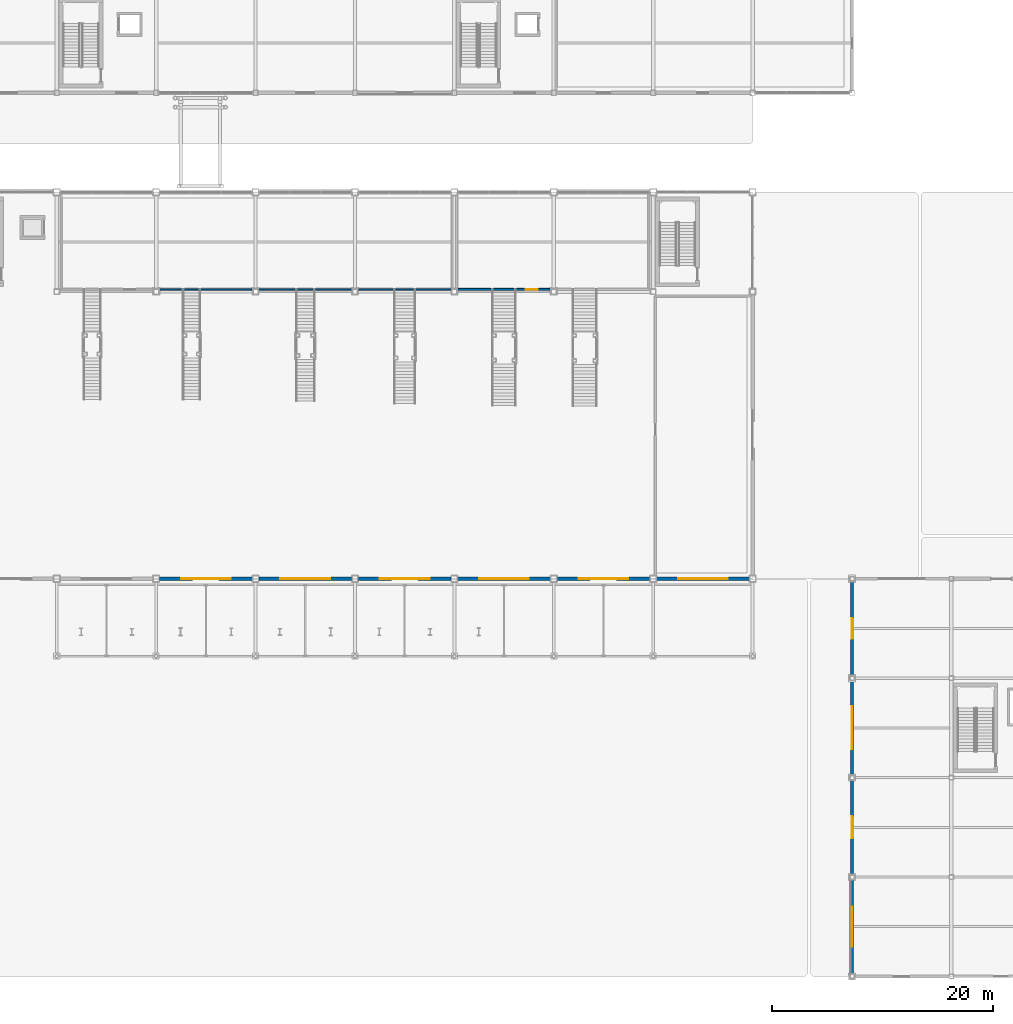
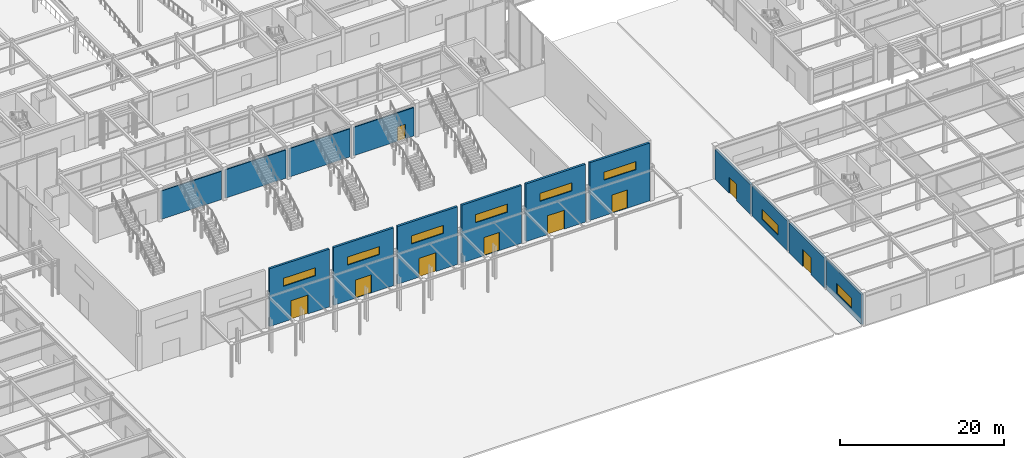
# One storey, part 85 of 123: 14 walls, 9 doors, 8 windows, 17 openings.
"""IFC4 building model written with IfcOpenShell, lengths in metres."""

import ifcopenshell
import ifcopenshell.guid

model = None  # the IFC model being written
_history = None  # IfcOwnerHistory: only IFC2X3 demands one
_inside = {}  # id of a spatial element -> (the spatial element, [elements in it])
_under = {}  # id of a project, library or spatial element -> (it, [spatial elements below it])
_declared = {}  # id of a project -> (the project, [libraries it declares])
_typed = {}  # id of a type object -> (the type object, [elements of that type])
_made_of = {}  # id of a material, layer set ... -> (it, [elements and type objects made of it])


def new_model(schema):
    """Start an empty IFC model of exactly this schema.

    Asked for "IFC4X3", IfcOpenShell would pick the latest addendum, in which some entities
    have other attributes; the version numbers below select the first issue.
    IFC2X3 requires an IfcOwnerHistory on every rooted entity: one is made here for all.
    """
    global model, _history
    if schema == "IFC4X3":
        model = ifcopenshell.file(schema_version=(4, 3, 0, 0))
    else:
        model = ifcopenshell.file(schema=schema)
    _inside.clear()
    _under.clear()
    _declared.clear()
    _typed.clear()
    _made_of.clear()
    _history = None
    if model.schema == "IFC2X3":
        org = make("IfcOrganization", Name="unknown")
        user = make(
            "IfcPersonAndOrganization",
            ThePerson=make("IfcPerson", FamilyName="unknown"),
            TheOrganization=org,
        )
        app = make(
            "IfcApplication",
            ApplicationDeveloper=org,
            Version="unknown",
            ApplicationFullName="unknown",
            ApplicationIdentifier="unknown",
        )
        _history = make(
            "IfcOwnerHistory",
            OwningUser=user,
            OwningApplication=app,
            ChangeAction="ADDED",
            CreationDate=0,
        )
    return model


def make(cls, **values):
    """One entity of the class cls with the attributes given. An attribute that is None is left unset."""
    return model.create_entity(
        cls, **{name: value for name, value in values.items() if value is not None}
    )


def rooted(cls, **values):
    """An entity with a GlobalId (a new one), such as an element, a storey or a relation."""
    return make(cls, GlobalId=ifcopenshell.guid.new(), OwnerHistory=_history, **values)


def si_unit(unit_type, name, prefix=None):
    """IfcSIUnit, for example si_unit("LENGTHUNIT", "METRE", prefix="MILLI")."""
    return make("IfcSIUnit", UnitType=unit_type, Prefix=prefix, Name=name)


def assignment(units):
    """IfcUnitAssignment: the units of a project."""
    return None if units is None else make("IfcUnitAssignment", Units=units)


def point(xyz):
    """IfcCartesianPoint."""
    return None if xyz is None else make("IfcCartesianPoint", Coordinates=xyz)


def direction(xyz):
    """IfcDirection."""
    return None if xyz is None else make("IfcDirection", DirectionRatios=xyz)


def frame(location, z_axis=None, x_axis=None):
    """IfcAxis2Placement3D, a coordinate frame: its origin and axes. An axis left out is left unset."""
    return make(
        "IfcAxis2Placement3D",
        Location=point(location),
        Axis=direction(z_axis),
        RefDirection=direction(x_axis),
    )


def frame_2d(location, x_axis=None):
    """IfcAxis2Placement2D, a coordinate frame in the plane: its origin and x axis."""
    return make(
        "IfcAxis2Placement2D", Location=point(location), RefDirection=direction(x_axis)
    )


def origin():
    """The frame at (0, 0, 0) with its axes left unset."""
    return frame((0.0, 0.0, 0.0))


def place(relative_to, where):
    """IfcLocalPlacement: puts the frame where relative to a parent placement (None: the world)."""
    return make(
        "IfcLocalPlacement", PlacementRelTo=relative_to, RelativePlacement=where
    )


def context(
    kind, dimensions, precision=None, world=None, true_north=None, identifier=None
):
    """IfcGeometricRepresentationContext, for example the 3D "Model" context."""
    return make(
        "IfcGeometricRepresentationContext",
        ContextIdentifier=identifier,
        ContextType=kind,
        CoordinateSpaceDimension=dimensions,
        Precision=precision,
        WorldCoordinateSystem=world,
        TrueNorth=true_north,
    )


def subcontext(parent, identifier, kind, view, scale=None):
    """IfcGeometricRepresentationSubContext, for example "Body" below "Model"."""
    return make(
        "IfcGeometricRepresentationSubContext",
        ContextIdentifier=identifier,
        ContextType=kind,
        ParentContext=parent,
        TargetScale=scale,
        TargetView=view,
    )


def project(units=None, contexts=None):
    """IfcProject with its units and contexts."""
    return rooted(
        "IfcProject",
        Name="project",
        RepresentationContexts=contexts,
        UnitsInContext=assignment(units),
    )


def spatial(cls, under=None, at=None, **own):
    """A site, building, storey or space (cls), placed at a placement, below another one or the project."""
    s = rooted(cls, ObjectPlacement=at, **own)
    if under is not None:
        _under.setdefault(under.id(), (under, []))[1].append(s)
    return s


def profile(cls, at=None, kind="AREA", **sizes):
    """A parametric profile (cls). Its sizes go by their IFC names, for example OverallWidth=200.0."""
    return make(cls, ProfileType=kind, Position=at, **sizes)


def rectangle(**sizes):
    """IfcRectangleProfileDef."""
    return profile("IfcRectangleProfileDef", **sizes)


def extrude(swept, where, along, depth):
    """IfcExtrudedAreaSolid: the profile swept, set in the frame where, extruded along a direction by depth."""
    return make(
        "IfcExtrudedAreaSolid",
        SweptArea=swept,
        Position=where,
        ExtrudedDirection=direction(along),
        Depth=depth,
    )


def shape(context_of_items, identifier, shape_type, items):
    """IfcShapeRepresentation: the items that make up one representation, for example the "Body"."""
    return make(
        "IfcShapeRepresentation",
        ContextOfItems=context_of_items,
        RepresentationIdentifier=identifier,
        RepresentationType=shape_type,
        Items=items,
    )


def material(Name=None, Category=None):
    """IfcMaterial."""
    return make("IfcMaterial", Name=Name, Category=Category)


def layer(
    of_material, thickness, ventilated=None, Name=None, Category=None, Priority=None
):
    """IfcMaterialLayer: one layer of a wall or slab, of a material (None: an air gap)."""
    return make(
        "IfcMaterialLayer",
        Material=of_material,
        LayerThickness=thickness,
        IsVentilated=ventilated,
        Name=Name,
        Category=Category,
        Priority=Priority,
    )


def layer_set(layers, Name=None):
    """IfcMaterialLayerSet."""
    return make("IfcMaterialLayerSet", MaterialLayers=layers, LayerSetName=Name)


def made_of(thing, what):
    """Note that an element or type object is made of a material, layer set ...; save() writes the relation."""
    if what is not None:
        _made_of.setdefault(what.id(), (what, []))[1].append(thing)
    return thing


def type_object(cls, material=None, **own):
    """A type object (cls), such as IfcWallType, which elements share."""
    return made_of(rooted(cls, **own), material)


def element(
    cls,
    number,
    at=None,
    inside=None,
    cuts=None,
    type_object=None,
    material=None,
    context=None,
    identifier="Body",
    shape_type=None,
    held_by="IfcProductDefinitionShape",
    body=None,
    shapes=None,
    **own,
):
    """One element of the class cls, such as IfcWall. Its Tag is "e" and its number.

    at: its placement. inside: the storey or other place that contains it. cuts: it is an
    opening in that element (IfcRelVoidsElement). A single representation is given by context,
    identifier, shape_type and body (its items); several are given by shapes. held_by: the class
    of the entity that holds the representations. save() writes the other relations.
    """
    e = rooted(cls, Tag="e%d" % number, ObjectPlacement=at, **own)
    if body is not None:
        shapes = [shape(context, identifier, shape_type, body)]
    if shapes is not None:
        e.Representation = make(held_by, Representations=shapes)
    if inside is not None:
        _inside.setdefault(inside.id(), (inside, []))[1].append(e)
    if cuts is not None:
        rooted(
            "IfcRelVoidsElement", RelatingBuildingElement=cuts, RelatedOpeningElement=e
        )
    if type_object is not None:
        _typed.setdefault(type_object.id(), (type_object, []))[1].append(e)
    return made_of(e, material)


def fill(opening, filler):
    """IfcRelFillsElement: the door or window that sits in an opening."""
    return rooted(
        "IfcRelFillsElement",
        RelatingOpeningElement=opening,
        RelatedBuildingElement=filler,
    )


def aggregate(whole, parts):
    """IfcRelAggregates: a whole, such as a stair, and the parts it consists of."""
    return rooted("IfcRelAggregates", RelatingObject=whole, RelatedObjects=parts)


def save(model, path):
    """Write the relations noted so far, then the file.

    IfcRelAggregates (storeys below a building ...), IfcRelContainedInSpatialStructure (elements
    in a storey), IfcRelDefinesByType, IfcRelAssociatesMaterial and IfcRelDeclares: one each for
    every whole, place, type object, material and project.
    """
    for whole, parts in _under.values():
        aggregate(whole, parts)
    for where, things in _inside.values():
        rooted(
            "IfcRelContainedInSpatialStructure",
            RelatedElements=things,
            RelatingStructure=where,
        )
    for kind, things in _typed.values():
        rooted("IfcRelDefinesByType", RelatedObjects=things, RelatingType=kind)
    for what, things in _made_of.values():
        rooted("IfcRelAssociatesMaterial", RelatedObjects=things, RelatingMaterial=what)
    for by, libraries in _declared.values():
        rooted("IfcRelDeclares", RelatingContext=by, RelatedDefinitions=libraries)
    model.write(path)


model = new_model("IFC4")

# Units and contexts
model_context = context("Model", 3, precision=1e-05, world=origin(), true_north=direction((0.0, 1.0)))
body_context = subcontext(model_context, "Body", "Model", "MODEL_VIEW")
ifc_project = project(units=[si_unit("LENGTHUNIT", "METRE"), si_unit("AREAUNIT", "SQUARE_METRE"), si_unit("VOLUMEUNIT", "CUBIC_METRE"), si_unit("PLANEANGLEUNIT", "RADIAN"), si_unit("MASSUNIT", "GRAM", prefix="KILO")], contexts=[model_context])

# Site, building, storey
site_placement = place(None, origin())
site = spatial("IfcSite", under=ifc_project, at=site_placement, CompositionType="ELEMENT")
building_placement = place(site_placement, origin())
building = spatial("IfcBuilding", under=site, at=building_placement, Name="Suzunagisa Mobility Hub", CompositionType="ELEMENT")
storey_placement = place(building_placement, origin())
storey = spatial("IfcBuildingStorey", under=building, at=storey_placement, Name="L00", CompositionType="ELEMENT", Elevation=0.0)

# Wall, opening, window
ifc_material_1 = material(Name="Lightweight Insulated Autoclaved Concrete C30/37 Wall", Category="concrete")
ifc_layer_1 = layer(ifc_material_1, 0.239990234375)
ifc_layer_set_1 = layer_set([ifc_layer_1], Name="Lightweight Insulated Autoclaved Concrete C30/37 Wall")
wall_type_1 = type_object("IfcWallType", Name="Exterior Wall EW-04 240mm", PredefinedType="SOLIDWALL", material=ifc_layer_set_1)
wall_1_placement = place(storey_placement, frame((126.0, 8.800048828125, 0.0), z_axis=(0.0, 0.0, 1.0), x_axis=(0.0, -1.0, 0.0)))
wall_1 = element("IfcWall", 1, at=wall_1_placement, inside=storey, type_object=wall_type_1, Name="L00 Exterior Facade Wall EW-295", PredefinedType="SOLIDWALL", context=body_context, shape_type="SweptSolid", body=[
    extrude(rectangle(XDim=8.60009765625, YDim=0.239990234375, at=frame_2d((4.300048828125, 0.0))), origin(), (0.0, 0.0, 1.0), 4.449951171875),
])
opening_1_placement = place(wall_1_placement, frame((2.5, 0.0, 0.949951171875)))
opening_1 = element("IfcOpeningElement", 2, at=opening_1_placement, cuts=wall_1, Name="Opening WN-27", PredefinedType="OPENING", context=body_context, shape_type="SweptSolid", body=[
    extrude(rectangle(XDim=3.60009765625, YDim=1.5, at=frame_2d((1.800048828125, 0.75))), frame((0.0, 0.130859375, 0.0), z_axis=(0.0, -1.0, 0.0), x_axis=(1.0, 0.0, 0.0)), (0.0, 0.0, 1.0), 0.261962890625),
])
ifc_material_2 = material(Name="Thermally Broken Anodized Aluminum and Low-E Double Glazing", Category="aluminium")
window_type_1 = type_object("IfcWindowType", Name="Aluminum Window WN-27 3600x1500", PartitioningType="SINGLE_PANEL", PredefinedType="WINDOW", material=ifc_material_2)
window_1_placement = place(opening_1_placement, origin())
window_1 = element("IfcWindow", 3, at=window_1_placement, inside=storey, type_object=window_type_1, Name="L00 Scheduled Facade Window WN-99", OverallHeight=1.5, OverallWidth=3.60009765625, PartitioningType="SINGLE_PANEL", PredefinedType="WINDOW", context=body_context, shape_type="SweptSolid", body=[
    extrude(rectangle(XDim=3.60009765625, YDim=1.5, at=frame_2d((1.800048828125, 0.75))), frame((0.0, 0.030029296875, 0.0), z_axis=(0.0, -1.0, 0.0), x_axis=(1.0, 0.0, 0.0)), (0.0, 0.0, 1.0), 0.06005859375),
])
fill(opening_1, window_1)

ifc_material_3 = material(Name="Porcelain-Faced Insulated Concrete C30/37 Wall", Category="concrete")
ifc_layer_2 = layer(ifc_material_3, 0.280029296875)
ifc_layer_set_2 = layer_set([ifc_layer_2], Name="Porcelain-Faced Insulated Concrete C30/37 Wall")
wall_type_2 = type_object("IfcWallType", Name="Exterior Wall EW-08 280mm", PredefinedType="SOLIDWALL", material=ifc_layer_set_2)
wall_2_placement = place(storey_placement, frame((126.0, 26.800048828125, 0.0), z_axis=(0.0, 0.0, 1.0), x_axis=(0.0, -1.0, 0.0)))
wall_2 = element("IfcWall", 4, at=wall_2_placement, inside=storey, type_object=wall_type_2, Name="L00 Exterior Facade Wall EW-293", PredefinedType="SOLIDWALL", context=body_context, shape_type="SweptSolid", body=[
    extrude(rectangle(XDim=8.60009765625, YDim=0.280029296875, at=frame_2d((4.300048828125, 0.0))), origin(), (0.0, 0.0, 1.0), 4.449951171875),
])
opening_2_placement = place(wall_2_placement, frame((2.35009765625, 0.0, 0.949951171875)))
opening_2 = element("IfcOpeningElement", 5, at=opening_2_placement, cuts=wall_2, Name="Opening WN-11", PredefinedType="OPENING", context=body_context, shape_type="SweptSolid", body=[
    extrude(rectangle(XDim=3.89990234375, YDim=1.5, at=frame_2d((1.949951171875, 0.75))), frame((0.0, 0.15087890625, 0.0), z_axis=(0.0, -1.0, 0.0), x_axis=(1.0, 0.0, 0.0)), (0.0, 0.0, 1.0), 0.302001953125),
])
window_type_2 = type_object("IfcWindowType", Name="Aluminum Window WN-11 3900x1500", PartitioningType="SINGLE_PANEL", PredefinedType="WINDOW", material=ifc_material_2)
window_2_placement = place(opening_2_placement, origin())
window_2 = element("IfcWindow", 6, at=window_2_placement, inside=storey, type_object=window_type_2, Name="L00 Scheduled Facade Window WN-98", OverallHeight=1.5, OverallWidth=3.89990234375, PartitioningType="SINGLE_PANEL", PredefinedType="WINDOW", context=body_context, shape_type="SweptSolid", body=[
    extrude(rectangle(XDim=3.89990234375, YDim=1.5, at=frame_2d((1.949951171875, 0.75))), frame((0.0, 0.030029296875, 0.0), z_axis=(0.0, -1.0, 0.0), x_axis=(1.0, 0.0, 0.0)), (0.0, 0.0, 1.0), 0.06005859375),
])
fill(opening_2, window_2)

# Wall, openings, window, door
ifc_material_4 = material(Name="Insulated Precast Concrete C35/45 Panel", Category="concrete")
ifc_layer_3 = layer(ifc_material_4, 0.300048828125)
ifc_layer_set_3 = layer_set([ifc_layer_3], Name="Insulated Precast Concrete C35/45 Panel")
wall_type_3 = type_object("IfcWallType", Name="Exterior Wall EW-09 300mm", PredefinedType="SOLIDWALL", material=ifc_layer_set_3)
wall_3_placement = place(storey_placement, frame((63.300048828125, 36.0, 0.0), z_axis=(0.0, 0.0, 1.0), x_axis=(1.0, 0.0, 0.0)))
wall_3 = element("IfcWall", 7, at=wall_3_placement, inside=storey, type_object=wall_type_3, Name="L00 Entrance Portal Wall 74", PredefinedType="SOLIDWALL", context=body_context, shape_type="SweptSolid", body=[
    extrude(rectangle(XDim=8.39990234375, YDim=0.300048828125, at=frame_2d((4.199951171875, 0.0))), origin(), (0.0, 0.0, 1.0), 8.580078125),
])
opening_3_placement = place(wall_3_placement, frame((5.39990234375, 0.0, 0.0), z_axis=(0.0, 0.0, 1.0), x_axis=(-1.0, 0.0, 0.0)))
opening_3 = element("IfcOpeningElement", 8, at=opening_3_placement, cuts=wall_3, Name="Opening ED-13", PredefinedType="OPENING", context=body_context, shape_type="SweptSolid", body=[
    extrude(rectangle(XDim=2.39990234375, YDim=2.800048828125, at=frame_2d((1.199951171875, 1.39990234375))), frame((0.0, 0.1611328125, 0.0), z_axis=(0.0, -1.0, 0.0), x_axis=(1.0, 0.0, 0.0)), (0.0, 0.0, 1.0), 0.322021484375),
])
opening_4_placement = place(wall_3_placement, frame((1.949951171875, 0.0, 5.300048828125)))
opening_4 = element("IfcOpeningElement", 9, at=opening_4_placement, cuts=wall_3, Name="Opening WN-28", PredefinedType="OPENING", context=body_context, shape_type="SweptSolid", body=[
    extrude(rectangle(XDim=4.5, YDim=1.199951171875, at=frame_2d((2.25, 0.60009765625))), frame((0.0, 0.1611328125, 0.0), z_axis=(0.0, -1.0, 0.0), x_axis=(1.0, 0.0, 0.0)), (0.0, 0.0, 1.0), 0.322021484375),
])
window_type_3 = type_object("IfcWindowType", Name="Aluminum Window WN-28 4500x1200", PartitioningType="SINGLE_PANEL", PredefinedType="WINDOW", material=ifc_material_2)
window_3_placement = place(opening_4_placement, origin())
window_3 = element("IfcWindow", 10, at=window_3_placement, inside=storey, type_object=window_type_3, Name="L00 Concourse Clerestory Window WN-17", OverallHeight=1.199951171875, OverallWidth=4.5, PartitioningType="SINGLE_PANEL", PredefinedType="WINDOW", context=body_context, shape_type="SweptSolid", body=[
    extrude(rectangle(XDim=4.5, YDim=1.199951171875, at=frame_2d((2.25, 0.60009765625))), frame((0.0, 0.030029296875, 0.0), z_axis=(0.0, -1.0, 0.0), x_axis=(1.0, 0.0, 0.0)), (0.0, 0.0, 1.0), 0.06005859375),
])
fill(opening_4, window_3)
ifc_material_5 = material(Name="Anodized Aluminum and Tempered Safety Glass", Category="aluminium")
door_type_1 = type_object("IfcDoorType", Name="Exterior Glazed Aluminum Door ED-13 2400x2800", OperationType="DOUBLE_DOOR_SINGLE_SWING", PredefinedType="DOOR", material=ifc_material_5)
door_1_placement = place(opening_3_placement, origin())
door_1 = element("IfcDoor", 11, at=door_1_placement, inside=storey, type_object=door_type_1, Name="L00 Main Concourse Pedestrian Final Exit Door EX-7", OperationType="SINGLE_SWING_LEFT", OverallHeight=2.800048828125, OverallWidth=2.39990234375, PredefinedType="DOOR", context=body_context, shape_type="SweptSolid", body=[
    extrude(rectangle(XDim=2.39990234375, YDim=2.800048828125, at=frame_2d((1.199951171875, 1.39990234375))), frame((0.0, 0.02490234375, 0.0), z_axis=(0.0, -1.0, 0.0), x_axis=(1.0, 0.0, 0.0)), (0.0, 0.0, 1.0), 0.050048828125),
])
fill(opening_3, door_1)

wall_4_placement = place(storey_placement, frame((72.300048828125, 36.0, 0.0), z_axis=(0.0, 0.0, 1.0), x_axis=(1.0, 0.0, 0.0)))
wall_4 = element("IfcWall", 12, at=wall_4_placement, inside=storey, type_object=wall_type_3, Name="L00 Entrance Portal Wall 75", PredefinedType="SOLIDWALL", context=body_context, shape_type="SweptSolid", body=[
    extrude(rectangle(XDim=8.39990234375, YDim=0.300048828125, at=frame_2d((4.199951171875, 0.0))), origin(), (0.0, 0.0, 1.0), 8.580078125),
])
opening_5_placement = place(wall_4_placement, frame((5.300048828125, 0.0, 0.0), z_axis=(0.0, 0.0, 1.0), x_axis=(-1.0, 0.0, 0.0)))
opening_5 = element("IfcOpeningElement", 13, at=opening_5_placement, cuts=wall_4, Name="Opening ED-02", PredefinedType="OPENING", context=body_context, shape_type="SweptSolid", body=[
    extrude(rectangle(XDim=2.199951171875, YDim=2.699951171875, at=frame_2d((1.10009765625, 1.35009765625))), frame((0.0, 0.1611328125, 0.0), z_axis=(0.0, -1.0, 0.0), x_axis=(1.0, 0.0, 0.0)), (0.0, 0.0, 1.0), 0.322021484375),
])
opening_6_placement = place(wall_4_placement, frame((1.949951171875, 0.0, 5.300048828125)))
opening_6 = element("IfcOpeningElement", 14, at=opening_6_placement, cuts=wall_4, Name="Opening WN-28", PredefinedType="OPENING", context=body_context, shape_type="SweptSolid", body=[
    extrude(rectangle(XDim=4.5, YDim=1.199951171875, at=frame_2d((2.25, 0.60009765625))), frame((0.0, 0.1611328125, 0.0), z_axis=(0.0, -1.0, 0.0), x_axis=(1.0, 0.0, 0.0)), (0.0, 0.0, 1.0), 0.322021484375),
])
window_4_placement = place(opening_6_placement, origin())
window_4 = element("IfcWindow", 15, at=window_4_placement, inside=storey, type_object=window_type_3, Name="L00 Concourse Clerestory Window WN-18", OverallHeight=1.199951171875, OverallWidth=4.5, PartitioningType="SINGLE_PANEL", PredefinedType="WINDOW", context=body_context, shape_type="SweptSolid", body=[
    extrude(rectangle(XDim=4.5, YDim=1.199951171875, at=frame_2d((2.25, 0.60009765625))), frame((0.0, 0.030029296875, 0.0), z_axis=(0.0, -1.0, 0.0), x_axis=(1.0, 0.0, 0.0)), (0.0, 0.0, 1.0), 0.06005859375),
])
fill(opening_6, window_4)
door_type_2 = type_object("IfcDoorType", Name="Exterior Glazed Aluminum Door ED-02 2200x2700", OperationType="DOUBLE_DOOR_SINGLE_SWING", PredefinedType="DOOR", material=ifc_material_5)
door_2_placement = place(opening_5_placement, origin())
door_2 = element("IfcDoor", 16, at=door_2_placement, inside=storey, type_object=door_type_2, Name="L00 Main Concourse Pedestrian Final Exit Door EX-8", OperationType="SINGLE_SWING_LEFT", OverallHeight=2.699951171875, OverallWidth=2.199951171875, PredefinedType="DOOR", context=body_context, shape_type="SweptSolid", body=[
    extrude(rectangle(XDim=2.199951171875, YDim=2.699951171875, at=frame_2d((1.10009765625, 1.35009765625))), frame((0.0, 0.02490234375, 0.0), z_axis=(0.0, -1.0, 0.0), x_axis=(1.0, 0.0, 0.0)), (0.0, 0.0, 1.0), 0.050048828125),
])
fill(opening_5, door_2)

wall_5_placement = place(storey_placement, frame((81.300048828125, 36.0, 0.0), z_axis=(0.0, 0.0, 1.0), x_axis=(1.0, 0.0, 0.0)))
wall_5 = element("IfcWall", 17, at=wall_5_placement, inside=storey, type_object=wall_type_3, Name="L00 Entrance Portal Wall 76", PredefinedType="SOLIDWALL", context=body_context, shape_type="SweptSolid", body=[
    extrude(rectangle(XDim=8.39990234375, YDim=0.300048828125, at=frame_2d((4.199951171875, 0.0))), origin(), (0.0, 0.0, 1.0), 8.580078125),
])
opening_7_placement = place(wall_5_placement, frame((5.39990234375, 0.0, 0.0), z_axis=(0.0, 0.0, 1.0), x_axis=(-1.0, 0.0, 0.0)))
opening_7 = element("IfcOpeningElement", 18, at=opening_7_placement, cuts=wall_5, Name="Opening ED-13", PredefinedType="OPENING", context=body_context, shape_type="SweptSolid", body=[
    extrude(rectangle(XDim=2.39990234375, YDim=2.800048828125, at=frame_2d((1.199951171875, 1.39990234375))), frame((0.0, 0.1611328125, 0.0), z_axis=(0.0, -1.0, 0.0), x_axis=(1.0, 0.0, 0.0)), (0.0, 0.0, 1.0), 0.322021484375),
])
opening_8_placement = place(wall_5_placement, frame((1.949951171875, 0.0, 5.300048828125)))
opening_8 = element("IfcOpeningElement", 19, at=opening_8_placement, cuts=wall_5, Name="Opening WN-28", PredefinedType="OPENING", context=body_context, shape_type="SweptSolid", body=[
    extrude(rectangle(XDim=4.5, YDim=1.199951171875, at=frame_2d((2.25, 0.60009765625))), frame((0.0, 0.1611328125, 0.0), z_axis=(0.0, -1.0, 0.0), x_axis=(1.0, 0.0, 0.0)), (0.0, 0.0, 1.0), 0.322021484375),
])
window_5_placement = place(opening_8_placement, origin())
window_5 = element("IfcWindow", 20, at=window_5_placement, inside=storey, type_object=window_type_3, Name="L00 Concourse Clerestory Window WN-19", OverallHeight=1.199951171875, OverallWidth=4.5, PartitioningType="SINGLE_PANEL", PredefinedType="WINDOW", context=body_context, shape_type="SweptSolid", body=[
    extrude(rectangle(XDim=4.5, YDim=1.199951171875, at=frame_2d((2.25, 0.60009765625))), frame((0.0, 0.030029296875, 0.0), z_axis=(0.0, -1.0, 0.0), x_axis=(1.0, 0.0, 0.0)), (0.0, 0.0, 1.0), 0.06005859375),
])
fill(opening_8, window_5)
door_3_placement = place(opening_7_placement, origin())
door_3 = element("IfcDoor", 21, at=door_3_placement, inside=storey, type_object=door_type_1, Name="L00 Main Concourse Pedestrian Final Exit Door EX-9", OperationType="SINGLE_SWING_LEFT", OverallHeight=2.800048828125, OverallWidth=2.39990234375, PredefinedType="DOOR", context=body_context, shape_type="SweptSolid", body=[
    extrude(rectangle(XDim=2.39990234375, YDim=2.800048828125, at=frame_2d((1.199951171875, 1.39990234375))), frame((0.0, 0.02490234375, 0.0), z_axis=(0.0, -1.0, 0.0), x_axis=(1.0, 0.0, 0.0)), (0.0, 0.0, 1.0), 0.050048828125),
])
fill(opening_7, door_3)

wall_6_placement = place(storey_placement, frame((90.300048828125, 36.0, 0.0), z_axis=(0.0, 0.0, 1.0), x_axis=(1.0, 0.0, 0.0)))
wall_6 = element("IfcWall", 22, at=wall_6_placement, inside=storey, type_object=wall_type_3, Name="L00 Entrance Portal Wall 77", PredefinedType="SOLIDWALL", context=body_context, shape_type="SweptSolid", body=[
    extrude(rectangle(XDim=8.39990234375, YDim=0.300048828125, at=frame_2d((4.199951171875, 0.0))), origin(), (0.0, 0.0, 1.0), 8.580078125),
])
opening_9_placement = place(wall_6_placement, frame((5.300048828125, 0.0, 0.0), z_axis=(0.0, 0.0, 1.0), x_axis=(-1.0, 0.0, 0.0)))
opening_9 = element("IfcOpeningElement", 23, at=opening_9_placement, cuts=wall_6, Name="Opening ED-02", PredefinedType="OPENING", context=body_context, shape_type="SweptSolid", body=[
    extrude(rectangle(XDim=2.199951171875, YDim=2.699951171875, at=frame_2d((1.10009765625, 1.35009765625))), frame((0.0, 0.1611328125, 0.0), z_axis=(0.0, -1.0, 0.0), x_axis=(1.0, 0.0, 0.0)), (0.0, 0.0, 1.0), 0.322021484375),
])
opening_10_placement = place(wall_6_placement, frame((1.949951171875, 0.0, 5.300048828125)))
opening_10 = element("IfcOpeningElement", 24, at=opening_10_placement, cuts=wall_6, Name="Opening WN-28", PredefinedType="OPENING", context=body_context, shape_type="SweptSolid", body=[
    extrude(rectangle(XDim=4.5, YDim=1.199951171875, at=frame_2d((2.25, 0.60009765625))), frame((0.0, 0.1611328125, 0.0), z_axis=(0.0, -1.0, 0.0), x_axis=(1.0, 0.0, 0.0)), (0.0, 0.0, 1.0), 0.322021484375),
])
window_6_placement = place(opening_10_placement, origin())
window_6 = element("IfcWindow", 25, at=window_6_placement, inside=storey, type_object=window_type_3, Name="L00 Concourse Clerestory Window WN-20", OverallHeight=1.199951171875, OverallWidth=4.5, PartitioningType="SINGLE_PANEL", PredefinedType="WINDOW", context=body_context, shape_type="SweptSolid", body=[
    extrude(rectangle(XDim=4.5, YDim=1.199951171875, at=frame_2d((2.25, 0.60009765625))), frame((0.0, 0.030029296875, 0.0), z_axis=(0.0, -1.0, 0.0), x_axis=(1.0, 0.0, 0.0)), (0.0, 0.0, 1.0), 0.06005859375),
])
fill(opening_10, window_6)
door_4_placement = place(opening_9_placement, origin())
door_4 = element("IfcDoor", 26, at=door_4_placement, inside=storey, type_object=door_type_2, Name="L00 Main Concourse Pedestrian Final Exit Door EX-10", OperationType="SINGLE_SWING_LEFT", OverallHeight=2.699951171875, OverallWidth=2.199951171875, PredefinedType="DOOR", context=body_context, shape_type="SweptSolid", body=[
    extrude(rectangle(XDim=2.199951171875, YDim=2.699951171875, at=frame_2d((1.10009765625, 1.35009765625))), frame((0.0, 0.02490234375, 0.0), z_axis=(0.0, -1.0, 0.0), x_axis=(1.0, 0.0, 0.0)), (0.0, 0.0, 1.0), 0.050048828125),
])
fill(opening_9, door_4)

wall_7_placement = place(storey_placement, frame((99.300048828125, 36.0, 0.0), z_axis=(0.0, 0.0, 1.0), x_axis=(1.0, 0.0, 0.0)))
wall_7 = element("IfcWall", 27, at=wall_7_placement, inside=storey, type_object=wall_type_3, Name="L00 Entrance Portal Wall 78", PredefinedType="SOLIDWALL", context=body_context, shape_type="SweptSolid", body=[
    extrude(rectangle(XDim=8.39990234375, YDim=0.300048828125, at=frame_2d((4.199951171875, 0.0))), origin(), (0.0, 0.0, 1.0), 8.580078125),
])
opening_11_placement = place(wall_7_placement, frame((5.39990234375, 0.0, 0.0), z_axis=(0.0, 0.0, 1.0), x_axis=(-1.0, 0.0, 0.0)))
opening_11 = element("IfcOpeningElement", 28, at=opening_11_placement, cuts=wall_7, Name="Opening ED-13", PredefinedType="OPENING", context=body_context, shape_type="SweptSolid", body=[
    extrude(rectangle(XDim=2.39990234375, YDim=2.800048828125, at=frame_2d((1.199951171875, 1.39990234375))), frame((0.0, 0.1611328125, 0.0), z_axis=(0.0, -1.0, 0.0), x_axis=(1.0, 0.0, 0.0)), (0.0, 0.0, 1.0), 0.322021484375),
])
opening_12_placement = place(wall_7_placement, frame((1.949951171875, 0.0, 5.300048828125)))
opening_12 = element("IfcOpeningElement", 29, at=opening_12_placement, cuts=wall_7, Name="Opening WN-28", PredefinedType="OPENING", context=body_context, shape_type="SweptSolid", body=[
    extrude(rectangle(XDim=4.5, YDim=1.199951171875, at=frame_2d((2.25, 0.60009765625))), frame((0.0, 0.1611328125, 0.0), z_axis=(0.0, -1.0, 0.0), x_axis=(1.0, 0.0, 0.0)), (0.0, 0.0, 1.0), 0.322021484375),
])
window_7_placement = place(opening_12_placement, origin())
window_7 = element("IfcWindow", 30, at=window_7_placement, inside=storey, type_object=window_type_3, Name="L00 Concourse Clerestory Window WN-21", OverallHeight=1.199951171875, OverallWidth=4.5, PartitioningType="SINGLE_PANEL", PredefinedType="WINDOW", context=body_context, shape_type="SweptSolid", body=[
    extrude(rectangle(XDim=4.5, YDim=1.199951171875, at=frame_2d((2.25, 0.60009765625))), frame((0.0, 0.030029296875, 0.0), z_axis=(0.0, -1.0, 0.0), x_axis=(1.0, 0.0, 0.0)), (0.0, 0.0, 1.0), 0.06005859375),
])
fill(opening_12, window_7)
door_5_placement = place(opening_11_placement, origin())
door_5 = element("IfcDoor", 31, at=door_5_placement, inside=storey, type_object=door_type_1, Name="L00 Main Concourse Pedestrian Final Exit Door EX-11", OperationType="SINGLE_SWING_LEFT", OverallHeight=2.800048828125, OverallWidth=2.39990234375, PredefinedType="DOOR", context=body_context, shape_type="SweptSolid", body=[
    extrude(rectangle(XDim=2.39990234375, YDim=2.800048828125, at=frame_2d((1.199951171875, 1.39990234375))), frame((0.0, 0.02490234375, 0.0), z_axis=(0.0, -1.0, 0.0), x_axis=(1.0, 0.0, 0.0)), (0.0, 0.0, 1.0), 0.050048828125),
])
fill(opening_11, door_5)

wall_8_placement = place(storey_placement, frame((108.300048828125, 36.0, 0.0), z_axis=(0.0, 0.0, 1.0), x_axis=(1.0, 0.0, 0.0)))
wall_8 = element("IfcWall", 32, at=wall_8_placement, inside=storey, type_object=wall_type_3, Name="L00 Entrance Portal Wall 79", PredefinedType="SOLIDWALL", context=body_context, shape_type="SweptSolid", body=[
    extrude(rectangle(XDim=8.39990234375, YDim=0.300048828125, at=frame_2d((4.199951171875, 0.0))), origin(), (0.0, 0.0, 1.0), 8.580078125),
])
opening_13_placement = place(wall_8_placement, frame((5.300048828125, 0.0, 0.0), z_axis=(0.0, 0.0, 1.0), x_axis=(-1.0, 0.0, 0.0)))
opening_13 = element("IfcOpeningElement", 33, at=opening_13_placement, cuts=wall_8, Name="Opening ED-02", PredefinedType="OPENING", context=body_context, shape_type="SweptSolid", body=[
    extrude(rectangle(XDim=2.199951171875, YDim=2.699951171875, at=frame_2d((1.10009765625, 1.35009765625))), frame((0.0, 0.1611328125, 0.0), z_axis=(0.0, -1.0, 0.0), x_axis=(1.0, 0.0, 0.0)), (0.0, 0.0, 1.0), 0.322021484375),
])
opening_14_placement = place(wall_8_placement, frame((1.949951171875, 0.0, 5.300048828125)))
opening_14 = element("IfcOpeningElement", 34, at=opening_14_placement, cuts=wall_8, Name="Opening WN-28", PredefinedType="OPENING", context=body_context, shape_type="SweptSolid", body=[
    extrude(rectangle(XDim=4.5, YDim=1.199951171875, at=frame_2d((2.25, 0.60009765625))), frame((0.0, 0.1611328125, 0.0), z_axis=(0.0, -1.0, 0.0), x_axis=(1.0, 0.0, 0.0)), (0.0, 0.0, 1.0), 0.322021484375),
])
window_8_placement = place(opening_14_placement, origin())
window_8 = element("IfcWindow", 35, at=window_8_placement, inside=storey, type_object=window_type_3, Name="L00 Concourse Clerestory Window WN-22", OverallHeight=1.199951171875, OverallWidth=4.5, PartitioningType="SINGLE_PANEL", PredefinedType="WINDOW", context=body_context, shape_type="SweptSolid", body=[
    extrude(rectangle(XDim=4.5, YDim=1.199951171875, at=frame_2d((2.25, 0.60009765625))), frame((0.0, 0.030029296875, 0.0), z_axis=(0.0, -1.0, 0.0), x_axis=(1.0, 0.0, 0.0)), (0.0, 0.0, 1.0), 0.06005859375),
])
fill(opening_14, window_8)
door_6_placement = place(opening_13_placement, origin())
door_6 = element("IfcDoor", 36, at=door_6_placement, inside=storey, type_object=door_type_2, Name="L00 Main Concourse Pedestrian Final Exit Door EX-12", OperationType="SINGLE_SWING_LEFT", OverallHeight=2.699951171875, OverallWidth=2.199951171875, PredefinedType="DOOR", context=body_context, shape_type="SweptSolid", body=[
    extrude(rectangle(XDim=2.199951171875, YDim=2.699951171875, at=frame_2d((1.10009765625, 1.35009765625))), frame((0.0, 0.02490234375, 0.0), z_axis=(0.0, -1.0, 0.0), x_axis=(1.0, 0.0, 0.0)), (0.0, 0.0, 1.0), 0.050048828125),
])
fill(opening_13, door_6)

# Wall, opening, door
wall_9_placement = place(storey_placement, frame((126.0, 35.800048828125, 0.0), z_axis=(0.0, 0.0, 1.0), x_axis=(0.0, -1.0, 0.0)))
wall_9 = element("IfcWall", 37, at=wall_9_placement, inside=storey, type_object=wall_type_3, Name="L00 Entrance Portal Wall 292", PredefinedType="SOLIDWALL", context=body_context, shape_type="SweptSolid", body=[
    extrude(rectangle(XDim=8.60009765625, YDim=0.300048828125, at=frame_2d((4.300048828125, 0.0))), origin(), (0.0, 0.0, 1.0), 4.449951171875),
])
opening_15_placement = place(wall_9_placement, frame((5.25, 0.0, 0.0), z_axis=(0.0, 0.0, 1.0), x_axis=(-1.0, 0.0, 0.0)))
opening_15 = element("IfcOpeningElement", 38, at=opening_15_placement, cuts=wall_9, Name="Opening ED-07", PredefinedType="OPENING", context=body_context, shape_type="SweptSolid", body=[
    extrude(rectangle(XDim=1.89990234375, YDim=2.39990234375, at=frame_2d((0.949951171875, 1.199951171875))), frame((0.0, 0.1611328125, 0.0), z_axis=(0.0, -1.0, 0.0), x_axis=(1.0, 0.0, 0.0)), (0.0, 0.0, 1.0), 0.322021484375),
])
door_type_3 = type_object("IfcDoorType", Name="Exterior Glazed Aluminum Door ED-07 1900x2400", OperationType="DOUBLE_DOOR_SINGLE_SWING", PredefinedType="DOOR", material=ifc_material_5)
door_7_placement = place(opening_15_placement, origin())
door_7 = element("IfcDoor", 39, at=door_7_placement, inside=storey, type_object=door_type_3, Name="L00 Pedestrian Final Exit Door EX-31", OperationType="SINGLE_SWING_LEFT", OverallHeight=2.39990234375, OverallWidth=1.89990234375, PredefinedType="DOOR", context=body_context, shape_type="SweptSolid", body=[
    extrude(rectangle(XDim=1.89990234375, YDim=2.39990234375, at=frame_2d((0.949951171875, 1.199951171875))), frame((0.0, 0.02490234375, 0.0), z_axis=(0.0, -1.0, 0.0), x_axis=(1.0, 0.0, 0.0)), (0.0, 0.0, 1.0), 0.050048828125),
])
fill(opening_15, door_7)

wall_10_placement = place(storey_placement, frame((126.0, 17.800048828125, 0.0), z_axis=(0.0, 0.0, 1.0), x_axis=(0.0, -1.0, 0.0)))
wall_10 = element("IfcWall", 40, at=wall_10_placement, inside=storey, type_object=wall_type_3, Name="L00 Entrance Portal Wall 294", PredefinedType="SOLIDWALL", context=body_context, shape_type="SweptSolid", body=[
    extrude(rectangle(XDim=8.60009765625, YDim=0.300048828125, at=frame_2d((4.300048828125, 0.0))), origin(), (0.0, 0.0, 1.0), 4.449951171875),
])
opening_16_placement = place(wall_10_placement, frame((5.300048828125, 0.0, 0.0), z_axis=(0.0, 0.0, 1.0), x_axis=(-1.0, 0.0, 0.0)))
opening_16 = element("IfcOpeningElement", 41, at=opening_16_placement, cuts=wall_10, Name="Opening ED-10", PredefinedType="OPENING", context=body_context, shape_type="SweptSolid", body=[
    extrude(rectangle(XDim=2.0, YDim=2.5, at=frame_2d((1.0, 1.25))), frame((0.0, 0.1611328125, 0.0), z_axis=(0.0, -1.0, 0.0), x_axis=(1.0, 0.0, 0.0)), (0.0, 0.0, 1.0), 0.322021484375),
])
door_type_4 = type_object("IfcDoorType", Name="Exterior Glazed Aluminum Door ED-10 2000x2500", OperationType="DOUBLE_DOOR_SINGLE_SWING", PredefinedType="DOOR", material=ifc_material_5)
door_8_placement = place(opening_16_placement, origin())
door_8 = element("IfcDoor", 42, at=door_8_placement, inside=storey, type_object=door_type_4, Name="L00 Pedestrian Final Exit Door EX-32", OperationType="SINGLE_SWING_LEFT", OverallHeight=2.5, OverallWidth=2.0, PredefinedType="DOOR", context=body_context, shape_type="SweptSolid", body=[
    extrude(rectangle(XDim=2.0, YDim=2.5, at=frame_2d((1.0, 1.25))), frame((0.0, 0.02490234375, 0.0), z_axis=(0.0, -1.0, 0.0), x_axis=(1.0, 0.0, 0.0)), (0.0, 0.0, 1.0), 0.050048828125),
])
fill(opening_16, door_8)

ifc_material_6 = material(Name="Fire-Rated Gypsum Stud Partition", Category="gypsum")
ifc_layer_4 = layer(ifc_material_6, 0.169921875)
ifc_layer_set_4 = layer_set([ifc_layer_4], Name="Fire-Rated Gypsum Stud Partition")
wall_type_4 = type_object("IfcWallType", Name="Interior Wall IW-05 170mm", PredefinedType="PARTITIONING", material=ifc_layer_set_4)
wall_11_placement = place(storey_placement, frame((90.25, 62.199951171875, 0.0), z_axis=(0.0, 0.0, 1.0), x_axis=(1.0, 0.0, 0.0)))
wall_11 = element("IfcWall", 43, at=wall_11_placement, inside=storey, type_object=wall_type_4, Name="L00 Bus Berths Dispatch and Station Operations Office Partition PW-714", PredefinedType="PARTITIONING", context=body_context, shape_type="SweptSolid", body=[
    extrude(rectangle(XDim=8.5, YDim=0.169921875, at=frame_2d((4.25, 0.0))), origin(), (0.0, 0.0, 1.0), 4.199951171875),
])
opening_17_placement = place(wall_11_placement, frame((6.2099609375, 0.0, 0.0)))
opening_17 = element("IfcOpeningElement", 44, at=opening_17_placement, cuts=wall_11, Name="Opening DR-25", PredefinedType="OPENING", context=body_context, shape_type="SweptSolid", body=[
    extrude(rectangle(XDim=1.080078125, YDim=2.14990234375, at=frame_2d((0.5400390625, 1.074951171875))), frame((0.0, 0.095947265625, 0.0), z_axis=(0.0, -1.0, 0.0), x_axis=(1.0, 0.0, 0.0)), (0.0, 0.0, 1.0), 0.19189453125),
])
ifc_material_7 = material(Name="Anodized Aluminum Framed Acoustic Door", Category="aluminium")
door_type_5 = type_object("IfcDoorType", Name="Interior Door DR-25 1080x2150", OperationType="SINGLE_SWING_LEFT", PredefinedType="DOOR", material=ifc_material_7)
door_9_placement = place(opening_17_placement, origin())
door_9 = element("IfcDoor", 45, at=door_9_placement, inside=storey, type_object=door_type_5, Name="L00 Bus Berths Dispatch and Station Operations Office Door DR-180", OperationType="SINGLE_SWING_LEFT", OverallHeight=2.14990234375, OverallWidth=1.080078125, PredefinedType="DOOR", context=body_context, shape_type="SweptSolid", body=[
    extrude(rectangle(XDim=1.080078125, YDim=2.14990234375, at=frame_2d((0.5400390625, 1.074951171875))), frame((0.0, 0.02490234375, 0.0), z_axis=(0.0, -1.0, 0.0), x_axis=(1.0, 0.0, 0.0)), (0.0, 0.0, 1.0), 0.050048828125),
])
fill(opening_17, door_9)

# Walls
ifc_material_8 = material(Name="Acoustic Steel-Stud Gypsum Partition", Category="steel")
ifc_layer_5 = layer(ifc_material_8, 0.14501953125)
ifc_layer_set_5 = layer_set([ifc_layer_5], Name="Acoustic Steel-Stud Gypsum Partition")
wall_type_5 = type_object("IfcWallType", Name="Interior Wall IW-06 145mm", PredefinedType="PARTITIONING", material=ifc_layer_set_5)
for number, where, z_axis, x_axis, name in (
    (46, (63.25, 62.199951171875, 0.0), (0.0, 0.0, 1.0), (1.0, 0.0, 0.0), "L00 Integrated Transit Ticketing and Information Lounge Partition PW-709"),
    (47, (72.25, 62.199951171875, 0.0), (0.0, 0.0, 1.0), (1.0, 0.0, 0.0), "L00 Integrated Transit Ticketing and Information Lounge Partition PW-710"),
    (48, (81.25, 62.199951171875, 0.0), (0.0, 0.0, 1.0), (1.0, 0.0, 0.0), "L00 Integrated Transit Ticketing and Information Lounge Partition PW-711"),
):
    element("IfcWall", number, at=place(storey_placement, frame(where, z_axis=z_axis, x_axis=x_axis)), inside=storey, type_object=wall_type_5, Name=name, PredefinedType="PARTITIONING", context=body_context, shape_type="SweptSolid", body=[
        extrude(rectangle(XDim=8.5, YDim=0.14501953125, at=frame_2d((4.25, 0.0))), origin(), (0.0, 0.0, 1.0), 4.199951171875),
    ])

save(model, "model.ifc")
